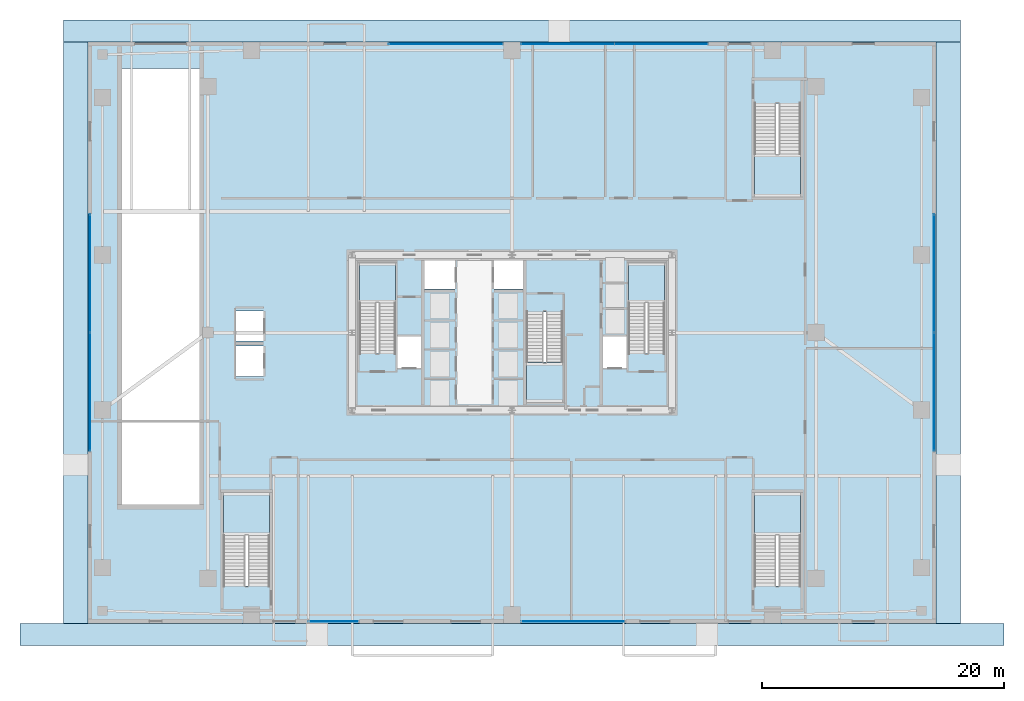
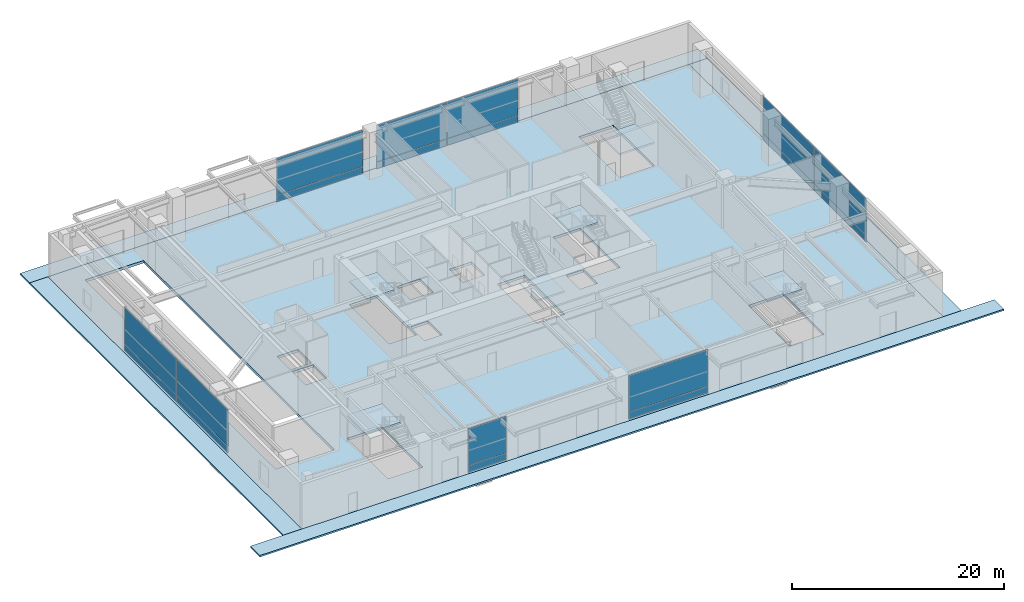
# One storey, part 23 of 32: 18 plates, 11 slabs, 12 elements without a shape of their own.
"""IFC4 building model written with IfcOpenShell, lengths in metres."""

from ifc_helpers import new_model, si_unit, direction, frame, origin, origin_2d, place, context, subcontext, project, spatial, polyline, rectangle, outline, extrude, source, transform, mapped, material, layer, layer_set, type_object, element, aggregate, save


model = new_model("IFC4")

# Units and contexts
model_context = context("Model", 3, precision=1e-05, world=origin(), true_north=direction((0.0, 1.0)))
body_context = subcontext(model_context, "Body", "Model", "MODEL_VIEW")
ifc_project = project(units=[si_unit("LENGTHUNIT", "METRE"), si_unit("AREAUNIT", "SQUARE_METRE"), si_unit("VOLUMEUNIT", "CUBIC_METRE"), si_unit("PLANEANGLEUNIT", "RADIAN"), si_unit("MASSUNIT", "GRAM", prefix="KILO"), si_unit("THERMODYNAMICTEMPERATUREUNIT", "KELVIN"), si_unit("POWERUNIT", "WATT")], contexts=[model_context])

# Site, building, storey
site_placement = place(None, origin())
site = spatial("IfcSite", under=ifc_project, at=site_placement, CompositionType="ELEMENT")
building_placement = place(site_placement, origin())
building = spatial("IfcBuilding", under=site, at=building_placement, Name="Yuzanri Waterfront Tower", CompositionType="ELEMENT")
storey_placement = place(building_placement, origin())
storey = spatial("IfcBuildingStorey", under=building, at=storey_placement, Name="L01", CompositionType="ELEMENT", Elevation=0.0)

# Stair, slab
ifc_material_1 = material(Name="Concrete C40", Category="concrete")
stair_type_1 = type_object("IfcStairType", Name="Concrete C40 Core Dogleg Exit Stair", PredefinedType="HALF_TURN_STAIR", material=ifc_material_1)
stair_1_placement = place(storey_placement, origin())
stair_1 = element("IfcStair", 1, at=stair_1_placement, inside=storey, type_object=stair_type_1, Name="L01 Smoke-Proof Core Stair ST-01", PredefinedType="HALF_TURN_STAIR")
ifc_material_2 = material(Name="Concrete C40", Category="concrete")
ifc_layer_1 = layer(ifc_material_2, 0.179931640625)
ifc_layer_set_1 = layer_set([ifc_layer_1], Name="Concrete C40")
slab_type_1 = type_object("IfcSlabType", Name="Concrete C40 Stair Half-Landing Slab 180", PredefinedType="LANDING", material=ifc_layer_set_1)
slab_1_placement = place(storey_placement, frame((0.0, 0.0, 2.5)))
slab_1 = element("IfcSlab", 2, at=slab_1_placement, type_object=slab_type_1, Name="ST-01 landing 1", PredefinedType="LANDING", context=body_context, shape_type="SweptSolid", body=[
    extrude(outline(polyline([(27.39990234375, 28.239990234375), (27.39990234375, 31.580078125), (24.39990234375, 31.580078125), (24.39990234375, 28.239990234375), (27.39990234375, 28.239990234375)])), origin(), (0.0, 0.0, 1.0), 0.199951171875),
])
aggregate(stair_1, [slab_1])

stair_2_placement = place(storey_placement, origin())
stair_2 = element("IfcStair", 3, at=stair_2_placement, inside=storey, type_object=stair_type_1, Name="L01 Smoke-Proof Core Stair ST-02", PredefinedType="HALF_TURN_STAIR")
slab_2_placement = place(storey_placement, frame((0.0, 0.0, 2.5)))
slab_2 = element("IfcSlab", 4, at=slab_2_placement, type_object=slab_type_1, Name="ST-02 landing 1", PredefinedType="LANDING", context=body_context, shape_type="SweptSolid", body=[
    extrude(outline(polyline([(49.60009765625, 28.239990234375), (49.60009765625, 31.580078125), (46.60009765625, 31.580078125), (46.60009765625, 28.239990234375), (49.60009765625, 28.239990234375)])), origin(), (0.0, 0.0, 1.0), 0.199951171875),
])
aggregate(stair_2, [slab_2])

stair_3_placement = place(storey_placement, origin())
stair_3 = element("IfcStair", 5, at=stair_3_placement, inside=storey, type_object=stair_type_1, Name="L01 Smoke-Proof Core Stair ST-03", PredefinedType="HALF_TURN_STAIR")
slab_3_placement = place(storey_placement, frame((0.0, 0.0, 2.5)))
slab_3 = element("IfcSlab", 6, at=slab_3_placement, type_object=slab_type_1, Name="ST-03 landing 1", PredefinedType="LANDING", context=body_context, shape_type="SweptSolid", body=[
    extrude(outline(polyline([(38.199951171875, 23.360107421875), (38.199951171875, 20.02001953125), (41.199951171875, 20.02001953125), (41.199951171875, 23.360107421875), (38.199951171875, 23.360107421875)])), origin(), (0.0, 0.0, 1.0), 0.199951171875),
])
aggregate(stair_3, [slab_3])

ifc_material_3 = material(Name="Concrete C40", Category="concrete")
stair_type_2 = type_object("IfcStairType", Name="Concrete C40 Podium Dogleg Exit Stair", PredefinedType="HALF_TURN_STAIR", material=ifc_material_3)
stair_4_placement = place(storey_placement, origin())
stair_4 = element("IfcStair", 7, at=stair_4_placement, inside=storey, type_object=stair_type_2, Name="L01 Podium Public Exit Stair PST-01", PredefinedType="HALF_TURN_STAIR")
slab_4_placement = place(storey_placement, frame((0.0, 0.0, 2.5)))
slab_4 = element("IfcSlab", 8, at=slab_4_placement, type_object=slab_type_1, Name="PST-01 landing 1", PredefinedType="LANDING", context=body_context, shape_type="SweptSolid", body=[
    extrude(outline(polyline([(17.0, 9.050048828125), (17.0, 12.60009765625), (13.199951171875, 12.60009765625), (13.199951171875, 9.050048828125), (17.0, 9.050048828125)])), origin(), (0.0, 0.0, 1.0), 0.199951171875),
])
aggregate(stair_4, [slab_4])

stair_5_placement = place(storey_placement, origin())
stair_5 = element("IfcStair", 9, at=stair_5_placement, inside=storey, type_object=stair_type_2, Name="L01 Podium Public Exit Stair PST-02", PredefinedType="HALF_TURN_STAIR")
slab_5_placement = place(storey_placement, frame((0.0, 0.0, 2.5)))
slab_5 = element("IfcSlab", 10, at=slab_5_placement, type_object=slab_type_1, Name="PST-02 landing 1", PredefinedType="LANDING", context=body_context, shape_type="SweptSolid", body=[
    extrude(outline(polyline([(60.800048828125, 9.050048828125), (60.800048828125, 12.60009765625), (57.0, 12.60009765625), (57.0, 9.050048828125), (60.800048828125, 9.050048828125)])), origin(), (0.0, 0.0, 1.0), 0.199951171875),
])
aggregate(stair_5, [slab_5])

stair_6_placement = place(storey_placement, origin())
stair_6 = element("IfcStair", 11, at=stair_6_placement, inside=storey, type_object=stair_type_2, Name="L01 Podium Public Exit Stair PST-03", PredefinedType="HALF_TURN_STAIR")
slab_6_placement = place(storey_placement, frame((0.0, 0.0, 2.5)))
slab_6 = element("IfcSlab", 12, at=slab_6_placement, type_object=slab_type_1, Name="PST-03 landing 1", PredefinedType="LANDING", context=body_context, shape_type="SweptSolid", body=[
    extrude(outline(polyline([(57.0, 40.550048828125), (57.0, 37.0), (60.800048828125, 37.0), (60.800048828125, 40.550048828125), (57.0, 40.550048828125)])), origin(), (0.0, 0.0, 1.0), 0.199951171875),
])
aggregate(stair_6, [slab_6])

# Slabs
ifc_material_4 = material(Name="Concrete C45", Category="concrete")
ifc_layer_2 = layer(ifc_material_4, 0.300048828125)
ifc_layer_set_2 = layer_set([ifc_layer_2], Name="Concrete C45")
slab_type_2 = type_object("IfcSlabType", Name="Concrete C45 Transfer and Sky-Lobby Structural Floor Slab 300", PredefinedType="FLOOR", material=ifc_layer_set_2)
slab_7_placement = place(storey_placement, frame((0.0, 0.0, -0.300048828125)))
element("IfcSlab", 13, at=slab_7_placement, inside=storey, type_object=slab_type_2, Name="L01 Main Structural Floor Slab", PredefinedType="FLOOR", context=body_context, shape_type="SweptSolid", body=[
    extrude(outline(polyline([(2.0, 1.800048828125), (72.0, 1.800048828125), (72.0, 49.800048828125), (2.0, 49.800048828125), (2.0, 1.800048828125)]), holes=[polyline([(27.39990234375, 24.10009765625), (27.39990234375, 31.580078125), (24.39990234375, 31.580078125), (24.39990234375, 24.10009765625), (27.39990234375, 24.10009765625)]), polyline([(49.60009765625, 24.10009765625), (49.60009765625, 31.580078125), (46.60009765625, 31.580078125), (46.60009765625, 24.10009765625), (49.60009765625, 24.10009765625)]), polyline([(38.199951171875, 27.5), (38.199951171875, 20.02001953125), (41.199951171875, 20.02001953125), (41.199951171875, 27.5), (38.199951171875, 27.5)]), polyline([(17.0, 4.909912109375), (17.0, 12.60009765625), (13.199951171875, 12.60009765625), (13.199951171875, 4.909912109375), (17.0, 4.909912109375)]), polyline([(60.800048828125, 4.909912109375), (60.800048828125, 12.60009765625), (57.0, 12.60009765625), (57.0, 4.909912109375), (60.800048828125, 4.909912109375)]), polyline([(57.0, 44.68994140625), (57.0, 37.0), (60.800048828125, 37.0), (60.800048828125, 44.68994140625), (57.0, 44.68994140625)]), polyline([(27.56005859375, 22.89990234375), (29.47998046875, 22.89990234375), (29.47998046875, 25.5), (27.56005859375, 25.5), (27.56005859375, 22.89990234375)]), polyline([(44.52001953125, 22.89990234375), (46.43994140625, 22.89990234375), (46.43994140625, 25.5), (44.52001953125, 25.5), (44.52001953125, 22.89990234375)]), polyline([(29.800048828125, 29.39990234375), (32.300048828125, 29.39990234375), (32.300048828125, 31.89990234375), (29.800048828125, 31.89990234375), (29.800048828125, 29.39990234375)]), polyline([(35.5, 29.39990234375), (37.89990234375, 29.39990234375), (37.89990234375, 31.89990234375), (35.5, 31.89990234375), (35.5, 29.39990234375)]), polyline([(14.199951171875, 22.199951171875), (16.5, 22.199951171875), (16.5, 24.699951171875), (14.199951171875, 24.699951171875), (14.199951171875, 22.199951171875)]), polyline([(14.199951171875, 25.10009765625), (16.5, 25.10009765625), (16.5, 27.60009765625), (14.199951171875, 27.60009765625), (14.199951171875, 25.10009765625)]), polyline([(4.800048828125, 11.60009765625), (11.199951171875, 11.60009765625), (11.199951171875, 47.60009765625), (4.800048828125, 47.60009765625), (4.800048828125, 11.60009765625)])]), origin(), (0.0, 0.0, 1.0), 0.300048828125),
])
ifc_material_5 = material(Name="Honed Chongqing Dark Basalt Stone", Category="masonry")
ifc_layer_3 = layer(ifc_material_5, 0.179931640625)
ifc_layer_set_3 = layer_set([ifc_layer_3], Name="Honed Chongqing Dark Basalt Stone")
slab_type_3 = type_object("IfcSlabType", Name="Honed Chongqing Dark Basalt Stone Waterfront Promenade Stone Paving Slab 180", PredefinedType="USERDEFINED", material=ifc_layer_set_3)
slab_8_placement = place(storey_placement, frame((0.0, 0.0, -0.179931640625)))
element("IfcSlab", 14, at=slab_8_placement, inside=storey, type_object=slab_type_3, Name="L01 Waterfront South Stone Paving", ObjectType="PAVING", PredefinedType="USERDEFINED", context=body_context, shape_type="SweptSolid", body=[
    extrude(outline(polyline([(-3.60009765625, 0.0), (77.60009765625, 0.0), (77.60009765625, 1.800048828125), (-3.60009765625, 1.800048828125), (-3.60009765625, 0.0)])), origin(), (0.0, 0.0, 1.0), 0.179931640625),
])
slab_9_placement = place(storey_placement, frame((0.0, 0.0, -0.179931640625)))
element("IfcSlab", 15, at=slab_9_placement, inside=storey, type_object=slab_type_3, Name="L01 Waterfront West Stone Paving", ObjectType="PAVING", PredefinedType="USERDEFINED", context=body_context, shape_type="SweptSolid", body=[
    extrude(outline(polyline([(0.0, 1.800048828125), (2.0, 1.800048828125), (2.0, 49.800048828125), (0.0, 49.800048828125), (0.0, 1.800048828125)])), origin(), (0.0, 0.0, 1.0), 0.179931640625),
])
slab_10_placement = place(storey_placement, frame((0.0, 0.0, -0.179931640625)))
element("IfcSlab", 16, at=slab_10_placement, inside=storey, type_object=slab_type_3, Name="L01 Waterfront East Stone Paving", ObjectType="PAVING", PredefinedType="USERDEFINED", context=body_context, shape_type="SweptSolid", body=[
    extrude(outline(polyline([(72.0, 1.800048828125), (74.0, 1.800048828125), (74.0, 49.800048828125), (72.0, 49.800048828125), (72.0, 1.800048828125)])), origin(), (0.0, 0.0, 1.0), 0.179931640625),
])
slab_11_placement = place(storey_placement, frame((0.0, 0.0, -0.179931640625)))
element("IfcSlab", 17, at=slab_11_placement, inside=storey, type_object=slab_type_3, Name="L01 Waterfront North_Driveway Stone Paving", ObjectType="PAVING", PredefinedType="USERDEFINED", context=body_context, shape_type="SweptSolid", body=[
    extrude(outline(polyline([(0.0, 49.800048828125), (74.0, 49.800048828125), (74.0, 51.60009765625), (0.0, 51.60009765625), (0.0, 49.800048828125)])), origin(), (0.0, 0.0, 1.0), 0.179931640625),
])

# Curtain wall, plates
ifc_material_6 = material(Name="Anodized Architectural Bronze", Category="metal")
ifc_layer_4 = layer(ifc_material_6, 0.159912109375)
ifc_layer_set_4 = layer_set([ifc_layer_4], Name="Anodized Architectural Bronze")
curtain_wall_type = type_object("IfcCurtainWallType", Name="Anodized Bronze Podium Waterfront Double-Height Unitized Curtain Wall 8400", PredefinedType="NOTDEFINED", material=ifc_layer_set_4)
curtain_wall_1_placement = place(storey_placement, origin())
curtain_wall_1 = element("IfcCurtainWall", 18, at=curtain_wall_1_placement, inside=storey, type_object=curtain_wall_type, Name="L01 Curtain Wall CW-L01-S1", PredefinedType="NOTDEFINED")
ifc_material_7 = material(Name="Anodized Architectural Bronze", Category="metal")
ifc_layer_5 = layer(ifc_material_7, 0.028076171875)
ifc_layer_set_5 = layer_set([ifc_layer_5], Name="Anodized Architectural Bronze")
plate_type_1 = type_object("IfcPlateType", Name="Bronze Insulated Spandrel Shadow-Box Panel 28", PredefinedType="CURTAIN_PANEL", material=ifc_layer_set_5)
shared_shape_1 = source(origin(), body_context, "Body", "SweptSolid", [
    extrude(rectangle(XDim=4.1201171875, YDim=0.028076171875, at=origin_2d()), origin(), (0.0, 0.0, 1.0), 0.739990234375),
])
plate_1_placement = place(storey_placement, frame((22.300048828125, 1.97998046875, 0.0498046875), z_axis=(0.0, 0.0, 1.0), x_axis=(1.0, 0.0, 0.0)))
plate_1 = element("IfcPlate", 19, at=plate_1_placement, type_object=plate_type_1, Name="CW-L01-S1 Spandrel Panel 01", PredefinedType="CURTAIN_PANEL", context=body_context, shape_type="MappedRepresentation", body=[
    mapped(shared_shape_1, transform((0.0, 0.0, 0.0), scale=1.0)),
])
ifc_material_8 = material(Name="Double-Silver Low-E Insulated Glass", Category="glass")
ifc_layer_6 = layer(ifc_material_8, 0.035888671875)
ifc_layer_set_6 = layer_set([ifc_layer_6], Name="Double-Silver Low-E Insulated Glass")
plate_type_2 = type_object("IfcPlateType", Name="Double Silver Low-E Insulated Vision Glass Panel 36", PredefinedType="CURTAIN_PANEL", material=ifc_layer_set_6)
shared_shape_2 = source(origin(), body_context, "Body", "SweptSolid", [
    extrude(rectangle(XDim=4.1201171875, YDim=0.035888671875, at=origin_2d()), origin(), (0.0, 0.0, 1.0), 4.219970703125),
])
plate_2_placement = place(storey_placement, frame((22.300048828125, 1.97998046875, 0.85009765625), z_axis=(0.0, 0.0, 1.0), x_axis=(1.0, 0.0, 0.0)))
plate_2 = element("IfcPlate", 20, at=plate_2_placement, type_object=plate_type_2, Name="CW-L01-S1 Vision Glass Panel 01", PredefinedType="CURTAIN_PANEL", context=body_context, shape_type="MappedRepresentation", body=[
    mapped(shared_shape_2, transform((0.0, 0.0, 0.0), scale=1.0)),
])
aggregate(curtain_wall_1, [plate_1, plate_2])

curtain_wall_2_placement = place(storey_placement, origin())
curtain_wall_2 = element("IfcCurtainWall", 21, at=curtain_wall_2_placement, inside=storey, type_object=curtain_wall_type, Name="L01 Curtain Wall CW-L01-S2", PredefinedType="NOTDEFINED")
shared_shape_3 = source(origin(), body_context, "Body", "SweptSolid", [
    extrude(rectangle(XDim=8.60009765625, YDim=0.028076171875, at=origin_2d()), origin(), (0.0, 0.0, 1.0), 0.739990234375),
])
plate_3_placement = place(storey_placement, frame((42.06005859375, 1.97998046875, 0.0498046875), z_axis=(0.0, 0.0, 1.0), x_axis=(1.0, 0.0, 0.0)))
plate_3 = element("IfcPlate", 22, at=plate_3_placement, type_object=plate_type_1, Name="CW-L01-S2 Spandrel Panel 01", PredefinedType="CURTAIN_PANEL", context=body_context, shape_type="MappedRepresentation", body=[
    mapped(shared_shape_3, transform((0.0, 0.0, 0.0), scale=1.0)),
])
shared_shape_4 = source(origin(), body_context, "Body", "SweptSolid", [
    extrude(rectangle(XDim=8.60009765625, YDim=0.035888671875, at=origin_2d()), origin(), (0.0, 0.0, 1.0), 4.219970703125),
])
plate_4_placement = place(storey_placement, frame((42.06005859375, 1.97998046875, 0.85009765625), z_axis=(0.0, 0.0, 1.0), x_axis=(1.0, 0.0, 0.0)))
plate_4 = element("IfcPlate", 23, at=plate_4_placement, type_object=plate_type_2, Name="CW-L01-S2 Vision Glass Panel 01", PredefinedType="CURTAIN_PANEL", context=body_context, shape_type="MappedRepresentation", body=[
    mapped(shared_shape_4, transform((0.0, 0.0, 0.0), scale=1.0)),
])
aggregate(curtain_wall_2, [plate_3, plate_4])

curtain_wall_3_placement = place(storey_placement, origin())
curtain_wall_3 = element("IfcCurtainWall", 24, at=curtain_wall_3_placement, inside=storey, type_object=curtain_wall_type, Name="L01 Curtain Wall CW-L01-N1", PredefinedType="NOTDEFINED")
shared_shape_5 = source(origin(), body_context, "Body", "SweptSolid", [
    extrude(rectangle(XDim=9.39990234375, YDim=0.028076171875, at=origin_2d()), origin(), (0.0, 0.0, 1.0), 0.739990234375),
])
plate_5_placement = place(storey_placement, frame((31.5400390625, 49.6201171875, 0.0498046875), z_axis=(0.0, 0.0, 1.0), x_axis=(1.0, 0.0, 0.0)))
plate_5 = element("IfcPlate", 25, at=plate_5_placement, type_object=plate_type_1, Name="CW-L01-N1 Spandrel Panel 01", PredefinedType="CURTAIN_PANEL", context=body_context, shape_type="MappedRepresentation", body=[
    mapped(shared_shape_5, transform((0.0, 0.0, 0.0), scale=1.0)),
])
shared_shape_6 = source(origin(), body_context, "Body", "SweptSolid", [
    extrude(rectangle(XDim=9.39990234375, YDim=0.035888671875, at=origin_2d()), origin(), (0.0, 0.0, 1.0), 4.219970703125),
])
plate_6_placement = place(storey_placement, frame((31.5400390625, 49.6201171875, 0.85009765625), z_axis=(0.0, 0.0, 1.0), x_axis=(1.0, 0.0, 0.0)))
plate_6 = element("IfcPlate", 26, at=plate_6_placement, type_object=plate_type_2, Name="CW-L01-N1 Vision Glass Panel 01", PredefinedType="CURTAIN_PANEL", context=body_context, shape_type="MappedRepresentation", body=[
    mapped(shared_shape_6, transform((0.0, 0.0, 0.0), scale=1.0)),
])
aggregate(curtain_wall_3, [plate_5, plate_6])

curtain_wall_4_placement = place(storey_placement, origin())
curtain_wall_4 = element("IfcCurtainWall", 27, at=curtain_wall_4_placement, inside=storey, type_object=curtain_wall_type, Name="L01 Curtain Wall CW-L01-N2", PredefinedType="NOTDEFINED")
shared_shape_7 = source(origin(), body_context, "Body", "SweptSolid", [
    extrude(rectangle(XDim=7.659912109375, YDim=0.028076171875, at=origin_2d()), origin(), (0.0, 0.0, 1.0), 0.739990234375),
])
plate_7_placement = place(storey_placement, frame((41.590087890625, 49.6201171875, 0.0498046875), z_axis=(0.0, 0.0, 1.0), x_axis=(1.0, 0.0, 0.0)))
plate_7 = element("IfcPlate", 28, at=plate_7_placement, type_object=plate_type_1, Name="CW-L01-N2 Spandrel Panel 01", PredefinedType="CURTAIN_PANEL", context=body_context, shape_type="MappedRepresentation", body=[
    mapped(shared_shape_7, transform((0.0, 0.0, 0.0), scale=1.0)),
])
plate_8_placement = place(storey_placement, frame((49.330078125, 49.6201171875, 0.0498046875), z_axis=(0.0, 0.0, 1.0), x_axis=(1.0, 0.0, 0.0)))
plate_8 = element("IfcPlate", 29, at=plate_8_placement, type_object=plate_type_1, Name="CW-L01-N2 Spandrel Panel 02", PredefinedType="CURTAIN_PANEL", context=body_context, shape_type="MappedRepresentation", body=[
    mapped(shared_shape_7, transform((0.0, 0.0, 0.0), scale=1.0)),
])
shared_shape_8 = source(origin(), body_context, "Body", "SweptSolid", [
    extrude(rectangle(XDim=7.659912109375, YDim=0.035888671875, at=origin_2d()), origin(), (0.0, 0.0, 1.0), 4.219970703125),
])
plate_9_placement = place(storey_placement, frame((41.590087890625, 49.6201171875, 0.85009765625), z_axis=(0.0, 0.0, 1.0), x_axis=(1.0, 0.0, 0.0)))
plate_9 = element("IfcPlate", 30, at=plate_9_placement, type_object=plate_type_2, Name="CW-L01-N2 Vision Glass Panel 01", PredefinedType="CURTAIN_PANEL", context=body_context, shape_type="MappedRepresentation", body=[
    mapped(shared_shape_8, transform((0.0, 0.0, 0.0), scale=1.0)),
])
plate_10_placement = place(storey_placement, frame((49.330078125, 49.6201171875, 0.85009765625), z_axis=(0.0, 0.0, 1.0), x_axis=(1.0, 0.0, 0.0)))
plate_10 = element("IfcPlate", 31, at=plate_10_placement, type_object=plate_type_2, Name="CW-L01-N2 Vision Glass Panel 02", PredefinedType="CURTAIN_PANEL", context=body_context, shape_type="MappedRepresentation", body=[
    mapped(shared_shape_8, transform((0.0, 0.0, 0.0), scale=1.0)),
])
aggregate(curtain_wall_4, [plate_7, plate_9, plate_8, plate_10])

curtain_wall_5_placement = place(storey_placement, origin())
curtain_wall_5 = element("IfcCurtainWall", 32, at=curtain_wall_5_placement, inside=storey, type_object=curtain_wall_type, Name="L01 Curtain Wall CW-L01-W", PredefinedType="NOTDEFINED")
shared_shape_9 = source(origin(), body_context, "Body", "SweptSolid", [
    extrude(rectangle(XDim=9.719970703125, YDim=0.028076171875, at=origin_2d()), origin(), (0.0, 0.0, 1.0), 0.739990234375),
])
plate_11_placement = place(storey_placement, frame((2.179931640625, 20.89990234375, 0.0498046875), z_axis=(0.0, 0.0, 1.0), x_axis=(0.0, 1.0, 0.0)))
plate_11 = element("IfcPlate", 33, at=plate_11_placement, type_object=plate_type_1, Name="CW-L01-W Spandrel Panel 01", PredefinedType="CURTAIN_PANEL", context=body_context, shape_type="MappedRepresentation", body=[
    mapped(shared_shape_9, transform((0.0, 0.0, 0.0), scale=1.0)),
])
plate_12_placement = place(storey_placement, frame((2.179931640625, 30.699951171875, 0.0498046875), z_axis=(0.0, 0.0, 1.0), x_axis=(0.0, 1.0, 0.0)))
plate_12 = element("IfcPlate", 34, at=plate_12_placement, type_object=plate_type_1, Name="CW-L01-W Spandrel Panel 02", PredefinedType="CURTAIN_PANEL", context=body_context, shape_type="MappedRepresentation", body=[
    mapped(shared_shape_9, transform((0.0, 0.0, 0.0), scale=1.0)),
])

curtain_wall_6_placement = place(storey_placement, origin())
curtain_wall_6 = element("IfcCurtainWall", 35, at=curtain_wall_6_placement, inside=storey, type_object=curtain_wall_type, Name="L01 Curtain Wall CW-L01-E", PredefinedType="NOTDEFINED")
plate_13_placement = place(storey_placement, frame((71.820068359375, 20.89990234375, 0.0498046875), z_axis=(0.0, 0.0, 1.0), x_axis=(0.0, 1.0, 0.0)))
plate_13 = element("IfcPlate", 36, at=plate_13_placement, type_object=plate_type_1, Name="CW-L01-E Spandrel Panel 01", PredefinedType="CURTAIN_PANEL", context=body_context, shape_type="MappedRepresentation", body=[
    mapped(shared_shape_9, transform((0.0, 0.0, 0.0), scale=1.0)),
])
plate_14_placement = place(storey_placement, frame((71.820068359375, 30.699951171875, 0.0498046875), z_axis=(0.0, 0.0, 1.0), x_axis=(0.0, 1.0, 0.0)))
plate_14 = element("IfcPlate", 37, at=plate_14_placement, type_object=plate_type_1, Name="CW-L01-E Spandrel Panel 02", PredefinedType="CURTAIN_PANEL", context=body_context, shape_type="MappedRepresentation", body=[
    mapped(shared_shape_9, transform((0.0, 0.0, 0.0), scale=1.0)),
])

# Plate
shared_shape_10 = source(origin(), body_context, "Body", "SweptSolid", [
    extrude(rectangle(XDim=9.719970703125, YDim=0.035888671875, at=origin_2d()), origin(), (0.0, 0.0, 1.0), 4.219970703125),
])
plate_15_placement = place(storey_placement, frame((2.179931640625, 20.89990234375, 0.85009765625), z_axis=(0.0, 0.0, 1.0), x_axis=(0.0, 1.0, 0.0)))
plate_15 = element("IfcPlate", 38, at=plate_15_placement, type_object=plate_type_2, Name="CW-L01-W Vision Glass Panel 01", PredefinedType="CURTAIN_PANEL", context=body_context, shape_type="MappedRepresentation", body=[
    mapped(shared_shape_10, transform((0.0, 0.0, 0.0), scale=1.0)),
])

plate_16_placement = place(storey_placement, frame((2.179931640625, 30.699951171875, 0.85009765625), z_axis=(0.0, 0.0, 1.0), x_axis=(0.0, 1.0, 0.0)))
plate_16 = element("IfcPlate", 39, at=plate_16_placement, type_object=plate_type_2, Name="CW-L01-W Vision Glass Panel 02", PredefinedType="CURTAIN_PANEL", context=body_context, shape_type="MappedRepresentation", body=[
    mapped(shared_shape_10, transform((0.0, 0.0, 0.0), scale=1.0)),
])

aggregate(curtain_wall_5, [plate_11, plate_15, plate_12, plate_16])

plate_17_placement = place(storey_placement, frame((71.820068359375, 20.89990234375, 0.85009765625), z_axis=(0.0, 0.0, 1.0), x_axis=(0.0, 1.0, 0.0)))
plate_17 = element("IfcPlate", 40, at=plate_17_placement, type_object=plate_type_2, Name="CW-L01-E Vision Glass Panel 01", PredefinedType="CURTAIN_PANEL", context=body_context, shape_type="MappedRepresentation", body=[
    mapped(shared_shape_10, transform((0.0, 0.0, 0.0), scale=1.0)),
])

plate_18_placement = place(storey_placement, frame((71.820068359375, 30.699951171875, 0.85009765625), z_axis=(0.0, 0.0, 1.0), x_axis=(0.0, 1.0, 0.0)))
plate_18 = element("IfcPlate", 41, at=plate_18_placement, type_object=plate_type_2, Name="CW-L01-E Vision Glass Panel 02", PredefinedType="CURTAIN_PANEL", context=body_context, shape_type="MappedRepresentation", body=[
    mapped(shared_shape_10, transform((0.0, 0.0, 0.0), scale=1.0)),
])

aggregate(curtain_wall_6, [plate_13, plate_17, plate_14, plate_18])

save(model, "model.ifc")
